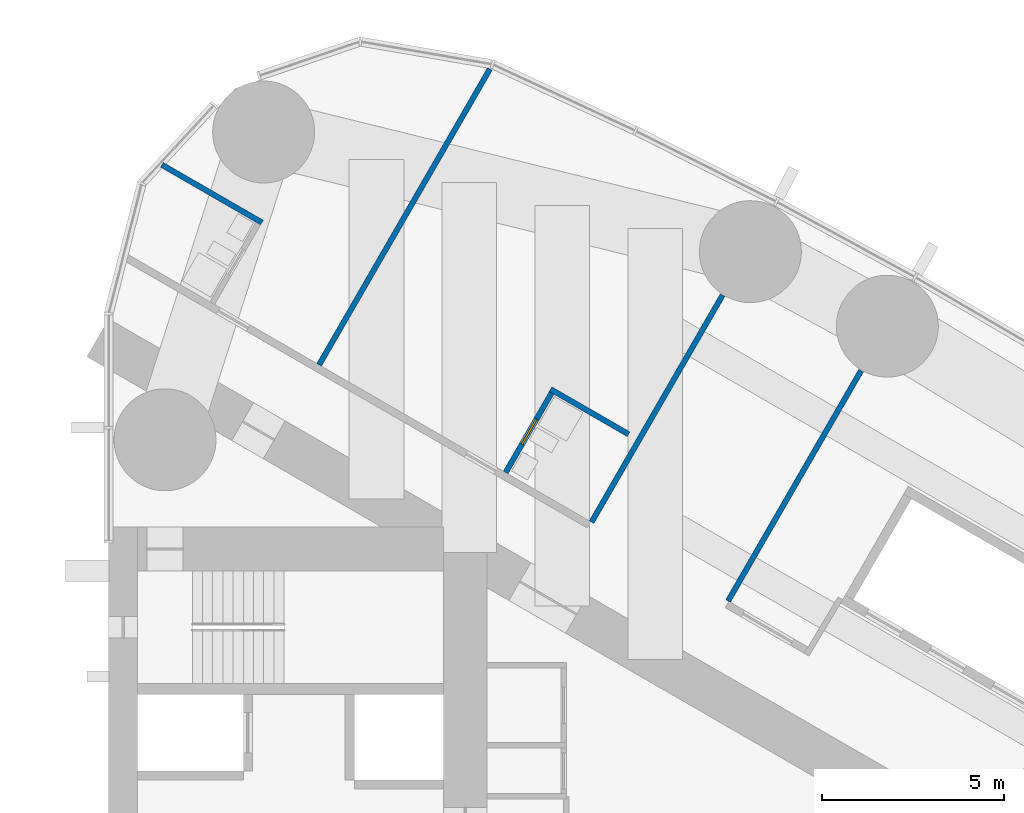
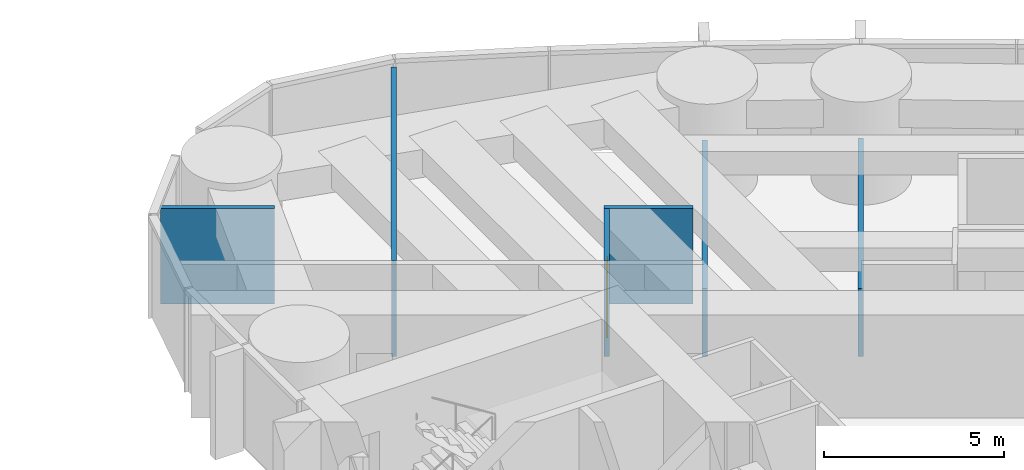
# One storey, part 16 of 19: 6 walls, 1 door, 1 opening.
"""IFC4 building model written with IfcOpenShell, lengths in metres."""

from ifc_helpers import new_model, si_unit, direction, frame, frame_2d, origin, place, context, subcontext, project, spatial, rectangle, extrude, material, layer, layer_set, type_object, element, fill, save


model = new_model("IFC4")

# Units and contexts
model_context = context("Model", 3, precision=1e-05, world=origin(), true_north=direction((0.0, 1.0)))
body_context = subcontext(model_context, "Body", "Model", "MODEL_VIEW")
ifc_project = project(units=[si_unit("LENGTHUNIT", "METRE"), si_unit("AREAUNIT", "SQUARE_METRE"), si_unit("VOLUMEUNIT", "CUBIC_METRE"), si_unit("PLANEANGLEUNIT", "RADIAN"), si_unit("MASSUNIT", "GRAM", prefix="KILO")], contexts=[model_context])

# Site, building, storey
site_placement = place(None, origin())
site = spatial("IfcSite", under=ifc_project, at=site_placement, CompositionType="ELEMENT")
building_placement = place(site_placement, origin())
building = spatial("IfcBuilding", under=site, at=building_placement, Name="Lancet Gate Hotel", CompositionType="ELEMENT")
storey_placement = place(building_placement, frame((0.0, 0.0, 177.300048828125)))
storey = spatial("IfcBuildingStorey", under=building, at=storey_placement, Name="L47", CompositionType="ELEMENT", Elevation=177.300048828125)

# Wall
ifc_material_1 = material(Name="Moisture resistant board partition")
ifc_layer_1 = layer(ifc_material_1, 0.14990234375)
ifc_layer_set_1 = layer_set([ifc_layer_1], Name="Bathroom wall 150")
wall_type_1 = type_object("IfcWallType", Name="Bathroom wall 150", PredefinedType="PARTITIONING", material=ifc_layer_set_1)
wall_1_placement = place(storey_placement, frame((39.64453125, 12.388671875, 0.0), z_axis=(0.0, 0.0, 1.0), x_axis=(0.866006523861, -0.500032699561, 0.0)))
element("IfcWall", 1, at=wall_1_placement, inside=storey, type_object=wall_type_1, Name="T2 bathroom wall 150 L47", PredefinedType="PARTITIONING", context=body_context, shape_type="SweptSolid", body=[
    extrude(rectangle(XDim=2.474853515625, YDim=0.14990234375, at=frame_2d((1.2373046875, 0.0))), origin(), (0.0, 0.0, 1.0), 3.25),
])

# Wall, opening, door
wall_2_placement = place(storey_placement, frame((38.409423828125, 10.099365234375, 0.0), z_axis=(0.0, 0.0, 1.0), x_axis=(0.500006934395, 0.866021400173, 0.0)))
wall_2 = element("IfcWall", 2, at=wall_2_placement, inside=storey, type_object=wall_type_1, Name="T2 bathroom wall 150 L47", PredefinedType="PARTITIONING", context=body_context, shape_type="SweptSolid", body=[
    extrude(rectangle(XDim=2.60009765625, YDim=0.14990234375, at=frame_2d((1.300048828125, 0.0))), origin(), (0.0, 0.0, 1.0), 3.25),
])
opening_placement = place(wall_2_placement, frame((0.89990234375, 0.0, 0.0)))
opening = element("IfcOpeningElement", 3, at=opening_placement, cuts=wall_2, Name="Opening 4762-B", PredefinedType="OPENING", context=body_context, shape_type="SweptSolid", body=[
    extrude(rectangle(XDim=0.800048828125, YDim=2.199951171875, at=frame_2d((0.39990234375, 1.10009765625))), frame((0.0, 0.0849609375, 0.0), z_axis=(0.0, -1.0, 0.0), x_axis=(1.0, 0.0, 0.0)), (0.0, 0.0, 1.0), 0.169921875),
])
ifc_material_2 = material(Name="Timber door set", Category="wood")
door_type = type_object("IfcDoorType", Name="Bathroom door 800", OperationType="SINGLE_SWING_RIGHT", PredefinedType="DOOR", material=ifc_material_2)
door_placement = place(opening_placement, origin())
door = element("IfcDoor", 4, at=door_placement, inside=storey, type_object=door_type, Name="4762-B", OperationType="SINGLE_SWING_RIGHT", OverallHeight=2.199951171875, OverallWidth=0.800048828125, PredefinedType="DOOR", context=body_context, shape_type="SweptSolid", body=[
    extrude(rectangle(XDim=0.800048828125, YDim=2.199951171875, at=frame_2d((0.39990234375, 1.10009765625))), frame((0.0, 0.02490234375, 0.0), z_axis=(0.0, -1.0, 0.0), x_axis=(1.0, 0.0, 0.0)), (0.0, 0.0, 1.0), 0.050048828125),
])
fill(opening, door)

# Walls
wall_3_placement = place(storey_placement, frame((28.965087890625, 18.554443359375, 0.0), z_axis=(0.0, 0.0, 1.0), x_axis=(0.866008740531, -0.500028860491, 0.0)))
element("IfcWall", 5, at=wall_3_placement, inside=storey, type_object=wall_type_1, Name="T2 bathroom wall 150 L47", PredefinedType="PARTITIONING", context=body_context, shape_type="SweptSolid", body=[
    extrude(rectangle(XDim=3.172607421875, YDim=0.14990234375, at=frame_2d((1.58642578125, 0.0))), origin(), (0.0, 0.0, 1.0), 3.25),
])
ifc_material_3 = material(Name="Gypsum board partition")
ifc_layer_2 = layer(ifc_material_3, 0.14990234375)
ifc_layer_set_2 = layer_set([ifc_layer_2], Name="Party wall 150")
wall_type_2 = type_object("IfcWallType", Name="Party wall 150", PredefinedType="PARTITIONING", material=ifc_layer_set_2)
wall_4_placement = place(storey_placement, frame((33.28369140625, 13.058837890625, 0.0), z_axis=(0.0, 0.0, 1.0), x_axis=(0.499985904184, 0.866033541855, 0.0)))
element("IfcWall", 6, at=wall_4_placement, inside=storey, type_object=wall_type_2, Name="T2 party wall 150 L47", PredefinedType="PARTITIONING", context=body_context, shape_type="SweptSolid", body=[
    extrude(rectangle(XDim=9.385498046875, YDim=0.14990234375, at=frame_2d((4.69287109375, 0.0))), origin(), (0.0, 0.0, 1.0), 3.25),
])
wall_5_placement = place(storey_placement, frame((40.769287109375, 8.737060546875, 0.0), z_axis=(0.0, 0.0, 1.0), x_axis=(0.500013115284, 0.866017831539, 0.0)))
element("IfcWall", 7, at=wall_5_placement, inside=storey, type_object=wall_type_2, Name="T2 party wall 150 L47", PredefinedType="PARTITIONING", context=body_context, shape_type="SweptSolid", body=[
    extrude(rectangle(XDim=7.197998046875, YDim=0.14990234375, at=frame_2d((3.59912109375, 0.0))), origin(), (0.0, 0.0, 1.0), 2.300048828125),
])
wall_6_placement = place(storey_placement, frame((44.521484375, 6.57080078125, 0.0), z_axis=(0.0, 0.0, 1.0), x_axis=(0.500020376429, 0.866013639128, 0.0)))
element("IfcWall", 8, at=wall_6_placement, inside=storey, type_object=wall_type_2, Name="T2 party wall 150 L47", PredefinedType="PARTITIONING", context=body_context, shape_type="SweptSolid", body=[
    extrude(rectangle(XDim=7.306396484375, YDim=0.14990234375, at=frame_2d((3.6533203125, 0.0))), origin(), (0.0, 0.0, 1.0), 2.300048828125),
])

save(model, "model.ifc")
